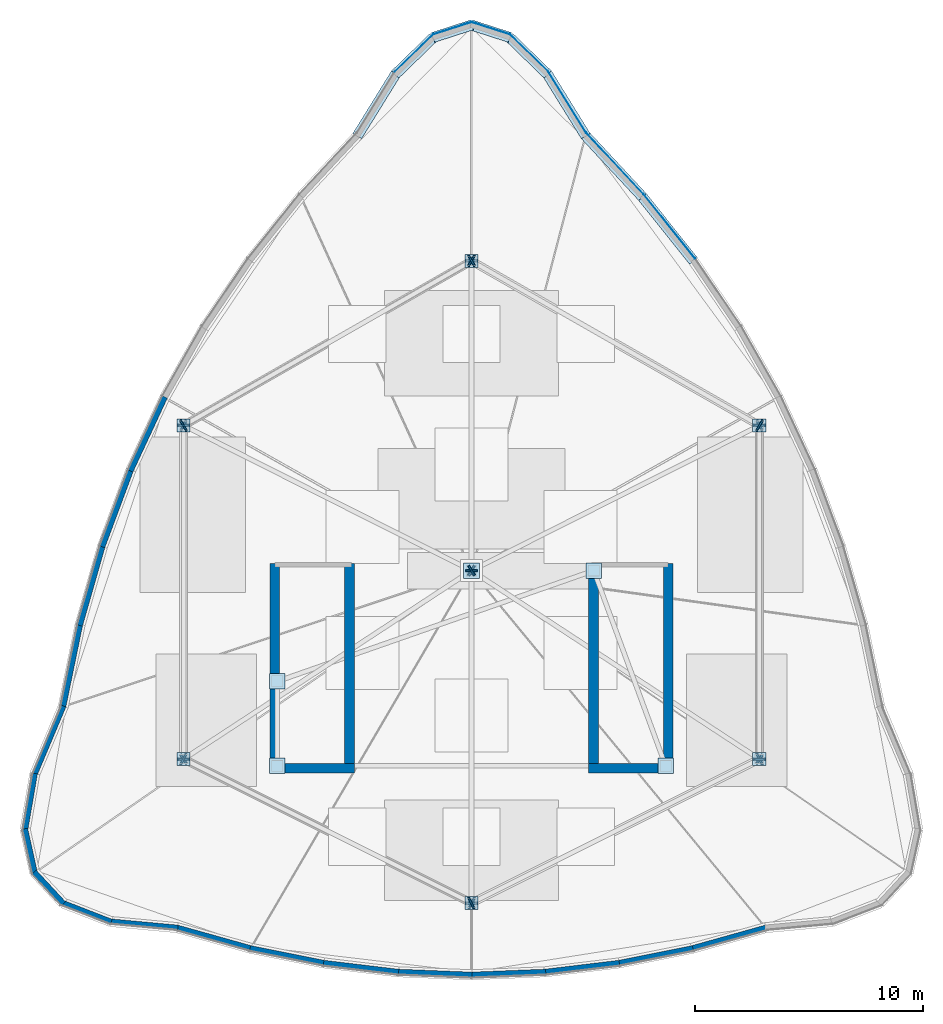
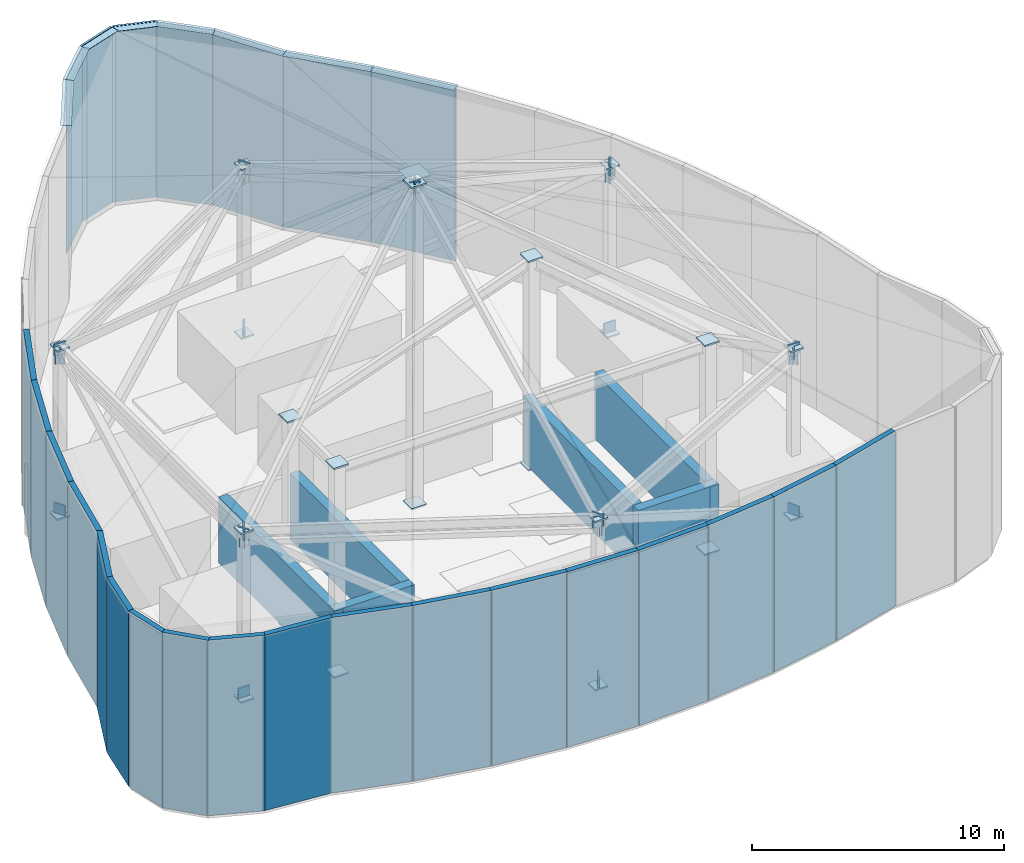
# One storey, part 3 of 6: 73 plates, 24 walls.
"""IFC4 building model written with IfcOpenShell, lengths in metres."""

from ifc_helpers import new_model, si_unit, direction, frame, frame_2d, origin, origin_2d, place, context, subcontext, project, spatial, rectangle, extrude, material, layer, layer_set, type_object, element, save


model = new_model("IFC4")

# Units and contexts
model_context = context("Model", 3, precision=1e-05, world=origin(), true_north=direction((0.0, 1.0)))
body_context = subcontext(model_context, "Body", "Model", "MODEL_VIEW")
ifc_project = project(units=[si_unit("LENGTHUNIT", "METRE"), si_unit("AREAUNIT", "SQUARE_METRE"), si_unit("VOLUMEUNIT", "CUBIC_METRE"), si_unit("PLANEANGLEUNIT", "RADIAN"), si_unit("MASSUNIT", "GRAM", prefix="KILO")], contexts=[model_context])

# Site, building, storey
site_placement = place(None, origin())
site = spatial("IfcSite", under=ifc_project, at=site_placement, CompositionType="ELEMENT")
building_placement = place(site_placement, origin())
building = spatial("IfcBuilding", under=site, at=building_placement, Name="Miruveldt Soraemaru", CompositionType="ELEMENT")
storey_placement = place(building_placement, frame((0.0, 0.0, 318.0)))
storey = spatial("IfcBuildingStorey", under=building, at=storey_placement, Name="RF", CompositionType="ELEMENT", Elevation=318.0)

# Plates
ifc_material_1 = material(Name="Steel S460 (460 MPa)", Category="steel")
ifc_layer_1 = layer(ifc_material_1, 0.030029296875, Name="Steel S460 (460 MPa)", Category="steel")
ifc_layer_set_1 = layer_set([ifc_layer_1], Name="Steel S460 (460 MPa)")
plate_type_1 = type_object("IfcPlateType", Name="PLT-CAP-30", PredefinedType="USERDEFINED", material=ifc_layer_set_1)
for number, where, z_axis, x_axis, name in (
    (1, (35.5, 35.5, -0.04541015625), (0.0, 0.0, 1.0), (1.0, 0.0, 0.0), "RF Core Ridge Post 1 End Cap A"),
    (2, (35.5, 35.5, 10.0703125), (0.0, 0.0, 1.0), (1.0, 0.0, 0.0), "RF Core Ridge Post 1 End Cap B"),
    (3, (52.5, 35.5, -0.04541015625), (0.0, 0.0, 1.0), (1.0, 0.0, 0.0), "RF Core Ridge Post 2 End Cap A"),
    (4, (52.5, 35.5, 10.0703125), (0.0, 0.0, 1.0), (1.0, 0.0, 0.0), "RF Core Ridge Post 2 End Cap B"),
    (5, (49.35009765625, 44.050048828125, -0.04541015625), (0.0, 0.0, 1.0), (1.0, 0.0, 0.0), "RF Core Ridge Post 3 End Cap A"),
    (6, (49.35009765625, 44.050048828125, 10.0703125), (0.0, 0.0, 1.0), (1.0, 0.0, 0.0), "RF Core Ridge Post 3 End Cap B"),
    (7, (35.5, 39.199951171875, -0.04541015625), (0.0, 0.0, 1.0), (1.0, 0.0, 0.0), "RF Core Ridge Post 4 End Cap A"),
    (8, (35.5, 39.199951171875, 10.0703125), (0.0, 0.0, 1.0), (1.0, 0.0, 0.0), "RF Core Ridge Post 4 End Cap B"),
    (9, (44.0, 44.050048828125, -0.04541015625), (0.0, 0.0, 1.0), (1.0, 0.0, 0.0), "RF Central Peak Post End Cap A"),
    (10, (44.0, 44.050048828125, 15.5205078125), (0.0, 0.0, 1.0), (1.0, 0.0, 0.0), "RF Central Peak Post End Cap B"),
):
    element("IfcPlate", number, at=place(storey_placement, frame(where, z_axis=z_axis, x_axis=x_axis)), inside=storey, type_object=plate_type_1, Name=name, ObjectType="END CAP", PredefinedType="USERDEFINED", context=body_context, shape_type="SweptSolid", body=[
        extrude(rectangle(XDim=0.679931640625, YDim=0.679931640625, at=origin_2d()), origin(), (0.0, 0.0, 1.0), 0.074951171875),
    ])
for number, where, z_axis, x_axis, name in (
    (11, (44.0, 57.60009765625, -0.04541015625), (0.0, 0.0, 1.0), (1.0, 0.0, 0.0), "RF Perimeter Post 01 End Cap A"),
    (12, (44.0, 57.60009765625, 8.12060546875), (0.0, 0.0, 1.0), (1.0, 0.0, 0.0), "RF Perimeter Post 01 End Cap B"),
    (13, (56.60009765625, 50.39990234375, -0.04541015625), (0.0, 0.0, 1.0), (1.0, 0.0, 0.0), "RF Perimeter Post 02 End Cap A"),
    (14, (56.60009765625, 50.39990234375, 8.12060546875), (0.0, 0.0, 1.0), (1.0, 0.0, 0.0), "RF Perimeter Post 02 End Cap B"),
    (15, (56.60009765625, 35.800048828125, -0.04541015625), (0.0, 0.0, 1.0), (1.0, 0.0, 0.0), "RF Perimeter Post 03 End Cap A"),
    (16, (56.60009765625, 35.800048828125, 8.12060546875), (0.0, 0.0, 1.0), (1.0, 0.0, 0.0), "RF Perimeter Post 03 End Cap B"),
    (17, (44.0, 29.5, -0.04541015625), (0.0, 0.0, 1.0), (1.0, 0.0, 0.0), "RF Perimeter Post 04 End Cap A"),
    (18, (44.0, 29.5, 8.12060546875), (0.0, 0.0, 1.0), (1.0, 0.0, 0.0), "RF Perimeter Post 04 End Cap B"),
    (19, (31.39990234375, 35.800048828125, -0.04541015625), (0.0, 0.0, 1.0), (1.0, 0.0, 0.0), "RF Perimeter Post 05 End Cap A"),
    (20, (31.39990234375, 35.800048828125, 8.12060546875), (0.0, 0.0, 1.0), (1.0, 0.0, 0.0), "RF Perimeter Post 05 End Cap B"),
    (21, (31.39990234375, 50.39990234375, -0.04541015625), (0.0, 0.0, 1.0), (1.0, 0.0, 0.0), "RF Perimeter Post 06 End Cap A"),
    (22, (31.39990234375, 50.39990234375, 8.12060546875), (0.0, 0.0, 1.0), (1.0, 0.0, 0.0), "RF Perimeter Post 06 End Cap B"),
):
    element("IfcPlate", number, at=place(storey_placement, frame(where, z_axis=z_axis, x_axis=x_axis)), inside=storey, type_object=plate_type_1, Name=name, ObjectType="END CAP", PredefinedType="USERDEFINED", context=body_context, shape_type="SweptSolid", body=[
        extrude(rectangle(XDim=0.580078125, YDim=0.580078125, at=origin_2d()), origin(), (0.0, 0.0, 1.0), 0.074951171875),
    ])
for number, where, z_axis, x_axis, name in (
    (23, (43.993896484375, 57.603515625, -0.02392578125), (0.0, 0.0, 1.0), (-0.868285407383, 0.496064966839, 0.0), "RF Wind Brace 1 End Cap A"),
    (24, (56.606201171875, 50.396484375, 7.78369140625), (0.0, 0.0, 1.0), (0.868285407383, -0.496064966839, 0.0), "RF Wind Brace 1 End Cap B"),
    (25, (56.60009765625, 50.406982421875, -0.02392578125), (0.0, 0.0, 1.0), (0.0, 1.0, 0.0), "RF Wind Brace 2 End Cap A"),
    (26, (56.60009765625, 35.79296875, 7.78369140625), (0.0, 0.0, 1.0), (0.0, -1.0, 0.0), "RF Wind Brace 2 End Cap B"),
    (27, (56.606201171875, 35.802978515625, -0.02392578125), (0.0, 0.0, 1.0), (0.89438856037, 0.447290848419, 0.0), "RF Wind Brace 3 End Cap A"),
    (28, (43.99365234375, 29.496826171875, 7.783935546875), (0.0, 0.0, 1.0), (-0.89438856037, -0.447290848419, 0.0), "RF Wind Brace 3 End Cap B"),
    (29, (44.00634765625, 29.496826171875, -0.02392578125), (0.0, 0.0, 1.0), (0.89438856037, -0.447290848419, 0.0), "RF Wind Brace 4 End Cap A"),
    (30, (31.393798828125, 35.802978515625, 7.783935546875), (0.0, 0.0, 1.0), (-0.89438856037, 0.447290848419, 0.0), "RF Wind Brace 4 End Cap B"),
    (31, (31.39990234375, 35.79296875, -0.02392578125), (0.0, 0.0, 1.0), (0.0, -1.0, 0.0), "RF Wind Brace 5 End Cap A"),
    (32, (31.39990234375, 50.406982421875, 7.78369140625), (0.0, 0.0, 1.0), (0.0, 1.0, 0.0), "RF Wind Brace 5 End Cap B"),
    (33, (31.393798828125, 50.396484375, -0.02392578125), (0.0, 0.0, 1.0), (-0.868285407383, -0.496064966839, 0.0), "RF Wind Brace 6 End Cap A"),
    (34, (44.006103515625, 57.603515625, 7.78369140625), (0.0, 0.0, 1.0), (0.868285407383, 0.496064966839, 0.0), "RF Wind Brace 6 End Cap B"),
):
    element("IfcPlate", number, at=place(storey_placement, frame(where, z_axis=z_axis, x_axis=x_axis)), inside=storey, type_object=plate_type_1, Name=name, ObjectType="END CAP", PredefinedType="USERDEFINED", context=body_context, shape_type="SweptSolid", body=[
        extrude(rectangle(XDim=0.074951171875, YDim=0.5400390625, at=origin_2d()), origin(), (0.0, 0.0, 1.0), 0.5400390625),
    ])
for number, where, z_axis, x_axis, name in (
    (35, (44.0, 57.60693359375, 7.6962890625), (0.0, 0.0, 1.0), (0.0, 1.0, 0.0), "RF Gable Rafter 1 End Cap A"),
    (36, (44.0, 44.04296875, 15.103759765625), (0.0, 0.0, 1.0), (0.0, -1.0, 0.0), "RF Gable Rafter 1 End Cap B"),
):
    element("IfcPlate", number, at=place(storey_placement, frame(where, z_axis=z_axis, x_axis=x_axis)), inside=storey, type_object=plate_type_1, Name=name, ObjectType="END CAP", PredefinedType="USERDEFINED", context=body_context, shape_type="SweptSolid", body=[
        extrude(rectangle(XDim=0.074951171875, YDim=0.5, at=origin_2d()), origin(), (0.0, 0.0, 1.0), 0.5),
    ])
for number, where, z_axis, x_axis, name in (
    (37, (43.9931640625, 57.60400390625, 7.340087890625), (0.0, 0.0, 1.0), (-0.868285407383, 0.496064966839, 0.0), "RF Eaves Purlin 1 End Cap A"),
    (38, (56.60693359375, 50.39599609375, 7.340087890625), (0.0, 0.0, 1.0), (0.868285407383, -0.496064966839, 0.0), "RF Eaves Purlin 1 End Cap B"),
):
    element("IfcPlate", number, at=place(storey_placement, frame(where, z_axis=z_axis, x_axis=x_axis)), inside=storey, type_object=plate_type_1, Name=name, ObjectType="END CAP", PredefinedType="USERDEFINED", context=body_context, shape_type="SweptSolid", body=[
        extrude(rectangle(XDim=0.074951171875, YDim=0.419921875, at=origin_2d()), origin(), (0.0, 0.0, 1.0), 0.419921875),
    ])
for number, where, z_axis, x_axis, name in (
    (39, (56.606201171875, 50.4033203125, 7.6962890625), (0.0, 0.0, 1.0), (0.892978943411, 0.450098441037, 0.0), "RF Gable Rafter 2 End Cap A"),
    (40, (43.99365234375, 44.046875, 15.103759765625), (0.0, 0.0, 1.0), (-0.892978943411, -0.450098441037, 0.0), "RF Gable Rafter 2 End Cap B"),
):
    element("IfcPlate", number, at=place(storey_placement, frame(where, z_axis=z_axis, x_axis=x_axis)), inside=storey, type_object=plate_type_1, Name=name, ObjectType="END CAP", PredefinedType="USERDEFINED", context=body_context, shape_type="SweptSolid", body=[
        extrude(rectangle(XDim=0.074951171875, YDim=0.5, at=origin_2d()), origin(), (0.0, 0.0, 1.0), 0.5),
    ])
for number, where, z_axis, x_axis, name in (
    (41, (56.60009765625, 50.407958984375, 7.340087890625), (0.0, 0.0, 1.0), (0.0, 1.0, 0.0), "RF Eaves Purlin 2 End Cap A"),
    (42, (56.60009765625, 35.7919921875, 7.340087890625), (0.0, 0.0, 1.0), (0.0, -1.0, 0.0), "RF Eaves Purlin 2 End Cap B"),
):
    element("IfcPlate", number, at=place(storey_placement, frame(where, z_axis=z_axis, x_axis=x_axis)), inside=storey, type_object=plate_type_1, Name=name, ObjectType="END CAP", PredefinedType="USERDEFINED", context=body_context, shape_type="SweptSolid", body=[
        extrude(rectangle(XDim=0.074951171875, YDim=0.419921875, at=origin_2d()), origin(), (0.0, 0.0, 1.0), 0.419921875),
    ])
for number, where, z_axis, x_axis, name in (
    (43, (56.60595703125, 35.796142578125, 7.696533203125), (0.0, 0.0, 1.0), (0.836573126862, -0.547855275974, 0.0), "RF Gable Rafter 3 End Cap A"),
    (44, (43.993896484375, 44.053955078125, 15.103515625), (0.0, 0.0, 1.0), (-0.836573126862, 0.547855275974, 0.0), "RF Gable Rafter 3 End Cap B"),
):
    element("IfcPlate", number, at=place(storey_placement, frame(where, z_axis=z_axis, x_axis=x_axis)), inside=storey, type_object=plate_type_1, Name=name, ObjectType="END CAP", PredefinedType="USERDEFINED", context=body_context, shape_type="SweptSolid", body=[
        extrude(rectangle(XDim=0.074951171875, YDim=0.5, at=origin_2d()), origin(), (0.0, 0.0, 1.0), 0.5),
    ])
for number, where, z_axis, x_axis, name in (
    (45, (56.607177734375, 35.8037109375, 7.340087890625), (0.0, 0.0, 1.0), (0.89438856037, 0.447290848419, 0.0), "RF Eaves Purlin 3 End Cap A"),
    (46, (43.992919921875, 29.496337890625, 7.340087890625), (0.0, 0.0, 1.0), (-0.89438856037, -0.447290848419, 0.0), "RF Eaves Purlin 3 End Cap B"),
):
    element("IfcPlate", number, at=place(storey_placement, frame(where, z_axis=z_axis, x_axis=x_axis)), inside=storey, type_object=plate_type_1, Name=name, ObjectType="END CAP", PredefinedType="USERDEFINED", context=body_context, shape_type="SweptSolid", body=[
        extrude(rectangle(XDim=0.074951171875, YDim=0.419921875, at=origin_2d()), origin(), (0.0, 0.0, 1.0), 0.419921875),
    ])
for number, where, z_axis, x_axis, name in (
    (47, (44.0, 29.492919921875, 7.6962890625), (0.0, 0.0, 1.0), (0.0, -1.0, 0.0), "RF Gable Rafter 4 End Cap A"),
    (48, (44.0, 44.05712890625, 15.103515625), (0.0, 0.0, 1.0), (0.0, 1.0, 0.0), "RF Gable Rafter 4 End Cap B"),
):
    element("IfcPlate", number, at=place(storey_placement, frame(where, z_axis=z_axis, x_axis=x_axis)), inside=storey, type_object=plate_type_1, Name=name, ObjectType="END CAP", PredefinedType="USERDEFINED", context=body_context, shape_type="SweptSolid", body=[
        extrude(rectangle(XDim=0.074951171875, YDim=0.5, at=origin_2d()), origin(), (0.0, 0.0, 1.0), 0.5),
    ])
for number, where, z_axis, x_axis, name in (
    (49, (44.007080078125, 29.496337890625, 7.340087890625), (0.0, 0.0, 1.0), (0.89438856037, -0.447290848419, 0.0), "RF Eaves Purlin 4 End Cap A"),
    (50, (31.392822265625, 35.8037109375, 7.340087890625), (0.0, 0.0, 1.0), (-0.89438856037, 0.447290848419, 0.0), "RF Eaves Purlin 4 End Cap B"),
):
    element("IfcPlate", number, at=place(storey_placement, frame(where, z_axis=z_axis, x_axis=x_axis)), inside=storey, type_object=plate_type_1, Name=name, ObjectType="END CAP", PredefinedType="USERDEFINED", context=body_context, shape_type="SweptSolid", body=[
        extrude(rectangle(XDim=0.074951171875, YDim=0.419921875, at=origin_2d()), origin(), (0.0, 0.0, 1.0), 0.419921875),
    ])
for number, where, z_axis, x_axis, name in (
    (51, (31.39404296875, 35.796142578125, 7.696533203125), (0.0, 0.0, 1.0), (-0.836573126862, -0.547855275974, 0.0), "RF Gable Rafter 5 End Cap A"),
    (52, (44.006103515625, 44.053955078125, 15.103515625), (0.0, 0.0, 1.0), (0.836573126862, 0.547855275974, 0.0), "RF Gable Rafter 5 End Cap B"),
):
    element("IfcPlate", number, at=place(storey_placement, frame(where, z_axis=z_axis, x_axis=x_axis)), inside=storey, type_object=plate_type_1, Name=name, ObjectType="END CAP", PredefinedType="USERDEFINED", context=body_context, shape_type="SweptSolid", body=[
        extrude(rectangle(XDim=0.074951171875, YDim=0.5, at=origin_2d()), origin(), (0.0, 0.0, 1.0), 0.5),
    ])
for number, where, z_axis, x_axis, name in (
    (53, (31.39990234375, 35.7919921875, 7.340087890625), (0.0, 0.0, 1.0), (0.0, -1.0, 0.0), "RF Eaves Purlin 5 End Cap A"),
    (54, (31.39990234375, 50.407958984375, 7.340087890625), (0.0, 0.0, 1.0), (0.0, 1.0, 0.0), "RF Eaves Purlin 5 End Cap B"),
):
    element("IfcPlate", number, at=place(storey_placement, frame(where, z_axis=z_axis, x_axis=x_axis)), inside=storey, type_object=plate_type_1, Name=name, ObjectType="END CAP", PredefinedType="USERDEFINED", context=body_context, shape_type="SweptSolid", body=[
        extrude(rectangle(XDim=0.074951171875, YDim=0.419921875, at=origin_2d()), origin(), (0.0, 0.0, 1.0), 0.419921875),
    ])
for number, where, z_axis, x_axis, name in (
    (55, (31.393798828125, 50.4033203125, 7.6962890625), (0.0, 0.0, 1.0), (-0.892978943411, 0.450098441037, 0.0), "RF Gable Rafter 6 End Cap A"),
    (56, (44.00634765625, 44.046875, 15.103759765625), (0.0, 0.0, 1.0), (0.892978943411, -0.450098441037, 0.0), "RF Gable Rafter 6 End Cap B"),
):
    element("IfcPlate", number, at=place(storey_placement, frame(where, z_axis=z_axis, x_axis=x_axis)), inside=storey, type_object=plate_type_1, Name=name, ObjectType="END CAP", PredefinedType="USERDEFINED", context=body_context, shape_type="SweptSolid", body=[
        extrude(rectangle(XDim=0.074951171875, YDim=0.5, at=origin_2d()), origin(), (0.0, 0.0, 1.0), 0.5),
    ])
for number, where, z_axis, x_axis, name in (
    (57, (31.39306640625, 50.39599609375, 7.340087890625), (0.0, 0.0, 1.0), (-0.868285407383, -0.496064966839, 0.0), "RF Eaves Purlin 6 End Cap A"),
    (58, (44.0068359375, 57.60400390625, 7.340087890625), (0.0, 0.0, 1.0), (0.868285407383, 0.496064966839, 0.0), "RF Eaves Purlin 6 End Cap B"),
):
    element("IfcPlate", number, at=place(storey_placement, frame(where, z_axis=z_axis, x_axis=x_axis)), inside=storey, type_object=plate_type_1, Name=name, ObjectType="END CAP", PredefinedType="USERDEFINED", context=body_context, shape_type="SweptSolid", body=[
        extrude(rectangle(XDim=0.074951171875, YDim=0.419921875, at=origin_2d()), origin(), (0.0, 0.0, 1.0), 0.419921875),
    ])
ifc_material_2 = material(Name="Anodised aluminium EN AW-6063 T6", Category="aluminium")
ifc_layer_2 = layer(ifc_material_2, 0.01611328125, Name="Anodised aluminium EN AW-6063 T6", Category="aluminium")
ifc_layer_set_2 = layer_set([ifc_layer_2], Name="Anodised aluminium EN AW-6063 T6")
plate_type_2 = type_object("IfcPlateType", Name="PLT-SCREEN-16", PredefinedType="USERDEFINED", material=ifc_layer_set_2)
plate_1_placement = place(storey_placement, frame((48.18408203125, 64.558349609375, 0.0), z_axis=(0.0, 0.0, 1.0), x_axis=(-0.526095186954, 0.850425690031, 0.0)))
element("IfcPlate", 59, at=plate_1_placement, inside=storey, type_object=plate_type_2, Name="RF Crown Perforated Metal SCREEN Panel 1", ObjectType="SCREEN", PredefinedType="USERDEFINED", context=body_context, shape_type="SweptSolid", body=[
    extrude(rectangle(XDim=3.21240234375, YDim=0.01611328125, at=origin_2d()), origin(), (0.0, 0.0, 1.0), 8.5),
])
plate_2_placement = place(storey_placement, frame((46.50927734375, 66.71142578125, 0.0), z_axis=(0.0, 0.0, 1.0), x_axis=(-0.717786124876, 0.696263656193, 0.0)))
element("IfcPlate", 60, at=plate_2_placement, inside=storey, type_object=plate_type_2, Name="RF Crown Perforated Metal SCREEN Panel 2", ObjectType="SCREEN", PredefinedType="USERDEFINED", context=body_context, shape_type="SweptSolid", body=[
    extrude(rectangle(XDim=2.36767578125, YDim=0.01611328125, at=origin_2d()), origin(), (0.0, 0.0, 1.0), 8.5),
])
for number, where, z_axis, x_axis, name in (
    (61, (44.836181640625, 67.7880859375, 0.0), (0.0, 0.0, 1.0), (-0.95150316745, 0.30763894801, 0.0), "RF Crown Perforated Metal SCREEN Panel 3"),
    (62, (43.163818359375, 67.7880859375, 0.0), (0.0, 0.0, 1.0), (-0.95150316745, -0.30763894801, 0.0), "RF Crown Perforated Metal SCREEN Panel 4"),
):
    element("IfcPlate", number, at=place(storey_placement, frame(where, z_axis=z_axis, x_axis=x_axis)), inside=storey, type_object=plate_type_2, Name=name, ObjectType="SCREEN", PredefinedType="USERDEFINED", context=body_context, shape_type="SweptSolid", body=[
        extrude(rectangle(XDim=1.798583984375, YDim=0.01611328125, at=origin_2d()), origin(), (0.0, 0.0, 1.0), 8.5),
    ])
plate_3_placement = place(storey_placement, frame((41.49072265625, 66.71142578125, 0.0), z_axis=(0.0, 0.0, 1.0), x_axis=(-0.717786124876, -0.696263656193, 0.0)))
element("IfcPlate", 63, at=plate_3_placement, inside=storey, type_object=plate_type_2, Name="RF Crown Perforated Metal SCREEN Panel 5", ObjectType="SCREEN", PredefinedType="USERDEFINED", context=body_context, shape_type="SweptSolid", body=[
    extrude(rectangle(XDim=2.36767578125, YDim=0.01611328125, at=origin_2d()), origin(), (0.0, 0.0, 1.0), 8.5),
])
plate_4_placement = place(storey_placement, frame((52.6552734375, 59.126708984375, 0.0), z_axis=(0.0, 0.0, 1.0), x_axis=(-0.623606756598, 0.781738199863, 0.0)))
element("IfcPlate", 64, at=plate_4_placement, inside=storey, type_object=plate_type_2, Name="RF Crown Perforated Metal SCREEN Panel 41", ObjectType="SCREEN", PredefinedType="USERDEFINED", context=body_context, shape_type="SweptSolid", body=[
    extrude(rectangle(XDim=3.6337890625, YDim=0.01611328125, at=origin_2d()), origin(), (0.0, 0.0, 1.0), 8.5),
])
plate_5_placement = place(storey_placement, frame((50.27490234375, 61.872802734375, 0.0), z_axis=(0.0, 0.0, 1.0), x_axis=(-0.680874277454, 0.732400312877, 0.0)))
element("IfcPlate", 65, at=plate_5_placement, inside=storey, type_object=plate_type_2, Name="RF Crown Perforated Metal SCREEN Panel 42", ObjectType="SCREEN", PredefinedType="USERDEFINED", context=body_context, shape_type="SweptSolid", body=[
    extrude(rectangle(XDim=3.69921875, YDim=0.01611328125, at=origin_2d()), origin(), (0.0, 0.0, 1.0), 8.5),
])
ifc_material_3 = material(Name="Standing-seam titanium-zinc sheet", Category="aluminium")
ifc_layer_3 = layer(ifc_material_3, 0.011962890625, Name="Standing-seam titanium-zinc sheet", Category="aluminium")
ifc_layer_set_3 = layer_set([ifc_layer_3], Name="Standing-seam titanium-zinc sheet")
plate_type_3 = type_object("IfcPlateType", Name="PLT-ZINC-12", PredefinedType="SHEET", material=ifc_layer_set_3)
plate_6_placement = place(storey_placement, frame((48.1591796875, 64.4306640625, 8.48779296875), z_axis=(0.0, 0.0, 1.0), x_axis=(-0.526095186954, 0.850425690031, 0.0)))
element("IfcPlate", 66, at=plate_6_placement, inside=storey, type_object=plate_type_3, Name="RF Crown Perimeter Eaves Zinc Flashing Sheet 1", PredefinedType="SHEET", context=body_context, shape_type="SweptSolid", body=[
    extrude(rectangle(XDim=3.202392578125, YDim=0.449951171875, at=origin_2d()), origin(), (0.0, 0.0, 1.0), 0.011962890625),
])
plate_7_placement = place(storey_placement, frame((46.49560546875, 66.582275390625, 8.48779296875), z_axis=(0.0, 0.0, 1.0), x_axis=(-0.717786124876, 0.696263656193, 0.0)))
element("IfcPlate", 67, at=plate_7_placement, inside=storey, type_object=plate_type_3, Name="RF Crown Perimeter Eaves Zinc Flashing Sheet 2", PredefinedType="SHEET", context=body_context, shape_type="SweptSolid", body=[
    extrude(rectangle(XDim=2.357666015625, YDim=0.449951171875, at=origin_2d()), origin(), (0.0, 0.0, 1.0), 0.011962890625),
])
for number, where, z_axis, x_axis, name in (
    (68, (44.831787109375, 67.658203125, 8.48779296875), (0.0, 0.0, 1.0), (-0.95150316745, 0.30763894801, 0.0), "RF Crown Perimeter Eaves Zinc Flashing Sheet 3"),
    (69, (43.168212890625, 67.658203125, 8.48779296875), (0.0, 0.0, 1.0), (-0.95150316745, -0.30763894801, 0.0), "RF Crown Perimeter Eaves Zinc Flashing Sheet 4"),
):
    element("IfcPlate", number, at=place(storey_placement, frame(where, z_axis=z_axis, x_axis=x_axis)), inside=storey, type_object=plate_type_3, Name=name, PredefinedType="SHEET", context=body_context, shape_type="SweptSolid", body=[
        extrude(rectangle(XDim=1.78857421875, YDim=0.449951171875, at=origin_2d()), origin(), (0.0, 0.0, 1.0), 0.011962890625),
    ])
plate_8_placement = place(storey_placement, frame((41.50439453125, 66.582275390625, 8.48779296875), z_axis=(0.0, 0.0, 1.0), x_axis=(-0.717786124876, -0.696263656193, 0.0)))
element("IfcPlate", 70, at=plate_8_placement, inside=storey, type_object=plate_type_3, Name="RF Crown Perimeter Eaves Zinc Flashing Sheet 5", PredefinedType="SHEET", context=body_context, shape_type="SweptSolid", body=[
    extrude(rectangle(XDim=2.357666015625, YDim=0.449951171875, at=origin_2d()), origin(), (0.0, 0.0, 1.0), 0.011962890625),
])
plate_9_placement = place(storey_placement, frame((39.8408203125, 64.4306640625, 8.48779296875), z_axis=(0.0, 0.0, 1.0), x_axis=(-0.526095186954, -0.850425690031, 0.0)))
element("IfcPlate", 71, at=plate_9_placement, inside=storey, type_object=plate_type_3, Name="RF Crown Perimeter Eaves Zinc Flashing Sheet 6", PredefinedType="SHEET", context=body_context, shape_type="SweptSolid", body=[
    extrude(rectangle(XDim=3.202392578125, YDim=0.449951171875, at=origin_2d()), origin(), (0.0, 0.0, 1.0), 0.011962890625),
])
plate_10_placement = place(storey_placement, frame((52.593017578125, 59.0126953125, 8.48779296875), z_axis=(0.0, 0.0, 1.0), x_axis=(-0.623606756598, 0.781738199863, 0.0)))
element("IfcPlate", 72, at=plate_10_placement, inside=storey, type_object=plate_type_3, Name="RF Crown Perimeter Eaves Zinc Flashing Sheet 41", PredefinedType="SHEET", context=body_context, shape_type="SweptSolid", body=[
    extrude(rectangle(XDim=3.623779296875, YDim=0.449951171875, at=origin_2d()), origin(), (0.0, 0.0, 1.0), 0.011962890625),
])
plate_11_placement = place(storey_placement, frame((50.2333984375, 61.749755859375, 8.48779296875), z_axis=(0.0, 0.0, 1.0), x_axis=(-0.680874277454, 0.732400312877, 0.0)))
element("IfcPlate", 73, at=plate_11_placement, inside=storey, type_object=plate_type_3, Name="RF Crown Perimeter Eaves Zinc Flashing Sheet 42", PredefinedType="SHEET", context=body_context, shape_type="SweptSolid", body=[
    extrude(rectangle(XDim=3.689208984375, YDim=0.449951171875, at=origin_2d()), origin(), (0.0, 0.0, 1.0), 0.011962890625),
])

# Walls
ifc_material_4 = material(Name="Concrete C50/60 (50 MPa)", Category="concrete")
ifc_layer_4 = layer(ifc_material_4, 0.419921875, Name="Concrete C50/60 (50 MPa)", Category="concrete")
ifc_layer_set_4 = layer_set([ifc_layer_4], Name="Concrete C50/60 (50 MPa)")
wall_type_1 = type_object("IfcWallType", Name="WALL-CW-420", PredefinedType="SHEAR", material=ifc_layer_set_4)
for number, where, z_axis, x_axis, name in (
    (74, (35.179931640625, 35.389892578125, 0.0), (0.0, 0.0, 1.0), (1.0, 0.0, 0.0), "RF Stair Headhouse Wall S1"),
    (75, (49.1298828125, 35.389892578125, 0.0), (0.0, 0.0, 1.0), (1.0, 0.0, 0.0), "RF Stair Headhouse Wall S2"),
):
    element("IfcWall", number, at=place(storey_placement, frame(where, z_axis=z_axis, x_axis=x_axis)), inside=storey, type_object=wall_type_1, Name=name, PredefinedType="SHEAR", context=body_context, shape_type="SweptSolid", body=[
        extrude(rectangle(XDim=3.690185546875, YDim=0.419921875, at=frame_2d((1.84521484375, 0.0))), origin(), (0.0, 0.0, 1.0), 3.199951171875),
    ])
for number, where, z_axis, x_axis, name in (
    (76, (35.389892578125, 35.179931640625, 0.0), (0.0, 0.0, 1.0), (0.0, 1.0, 0.0), "RF Stair Headhouse Wall W1"),
    (77, (52.610107421875, 35.179931640625, 0.0), (0.0, 0.0, 1.0), (0.0, 1.0, 0.0), "RF Stair Headhouse Wall E1"),
):
    element("IfcWall", number, at=place(storey_placement, frame(where, z_axis=z_axis, x_axis=x_axis)), inside=storey, type_object=wall_type_1, Name=name, PredefinedType="SHEAR", context=body_context, shape_type="SweptSolid", body=[
        extrude(rectangle(XDim=9.170166015625, YDim=0.419921875, at=frame_2d((4.5849609375, 0.0))), origin(), (0.0, 0.0, 1.0), 3.199951171875),
    ])
for number, where, z_axis, x_axis, name in (
    (78, (38.659912109375, 35.39990234375, 0.0), (0.0, 0.0, 1.0), (0.0, 1.0, 0.0), "RF Stair Headhouse Wall SW-INT"),
    (79, (49.340087890625, 35.39990234375, 0.0), (0.0, 0.0, 1.0), (0.0, 1.0, 0.0), "RF Stair Headhouse Wall SE-INT"),
):
    element("IfcWall", number, at=place(storey_placement, frame(where, z_axis=z_axis, x_axis=x_axis)), inside=storey, type_object=wall_type_1, Name=name, PredefinedType="SHEAR", context=body_context, shape_type="SweptSolid", body=[
        extrude(rectangle(XDim=8.9501953125, YDim=0.419921875, at=frame_2d((4.47509765625, 0.0))), origin(), (0.0, 0.0, 1.0), 3.199951171875),
    ])
ifc_material_5 = material(Name="Precast concrete C45/55 (45 MPa)", Category="concrete")
ifc_layer_5 = layer(ifc_material_5, 0.239990234375, Name="Precast concrete C45/55 (45 MPa)", Category="concrete")
ifc_layer_set_5 = layer_set([ifc_layer_5], Name="Precast concrete C45/55 (45 MPa)")
wall_type_2 = type_object("IfcWallType", Name="WALL-EXT-PC240", PredefinedType="SOLIDWALL", material=ifc_layer_set_5)
wall_1_placement = place(storey_placement, frame((30.58203125, 51.649658203125, 0.0), z_axis=(0.0, 0.0, 1.0), x_axis=(-0.422306190726, -0.906453242741, 0.0)))
element("IfcWall", 80, at=wall_1_placement, inside=storey, type_object=wall_type_2, Name="RF Crown Enclosure Wall 11", PredefinedType="SOLIDWALL", context=body_context, shape_type="SweptSolid", body=[
    extrude(rectangle(XDim=3.576904296875, YDim=0.239990234375, at=frame_2d((1.78857421875, 0.0))), origin(), (0.0, 0.0, 1.0), 8.5),
])
wall_2_placement = place(storey_placement, frame((29.0947265625, 48.462646484375, 0.0), z_axis=(0.0, 0.0, 1.0), x_axis=(-0.349063473183, -0.937099083176, 0.0)))
element("IfcWall", 81, at=wall_2_placement, inside=storey, type_object=wall_type_2, Name="RF Crown Enclosure Wall 12", PredefinedType="SOLIDWALL", context=body_context, shape_type="SweptSolid", body=[
    extrude(rectangle(XDim=3.59912109375, YDim=0.239990234375, at=frame_2d((1.799560546875, 0.0))), origin(), (0.0, 0.0, 1.0), 8.5),
])
wall_3_placement = place(storey_placement, frame((27.857177734375, 45.146728515625, 0.0), z_axis=(0.0, 0.0, 1.0), x_axis=(-0.274986607088, -0.961448056799, 0.0)))
element("IfcWall", 82, at=wall_3_placement, inside=storey, type_object=wall_type_2, Name="RF Crown Enclosure Wall 13", PredefinedType="SOLIDWALL", context=body_context, shape_type="SweptSolid", body=[
    extrude(rectangle(XDim=3.6435546875, YDim=0.239990234375, at=frame_2d((1.82177734375, 0.0))), origin(), (0.0, 0.0, 1.0), 8.5),
])
wall_4_placement = place(storey_placement, frame((26.869384765625, 41.701904296875, 0.0), z_axis=(0.0, 0.0, 1.0), x_axis=(-0.201530352789, -0.979482269827, 0.0)))
element("IfcWall", 83, at=wall_4_placement, inside=storey, type_object=wall_type_2, Name="RF Crown Enclosure Wall 14", PredefinedType="SOLIDWALL", context=body_context, shape_type="SweptSolid", body=[
    extrude(rectangle(XDim=3.70947265625, YDim=0.239990234375, at=frame_2d((1.854736328125, 0.0))), origin(), (0.0, 0.0, 1.0), 8.5),
])
wall_5_placement = place(storey_placement, frame((26.1396484375, 38.12548828125, 0.0), z_axis=(0.0, 0.0, 1.0), x_axis=(-0.38868763357, -0.921369591157, 0.0)))
element("IfcWall", 84, at=wall_5_placement, inside=storey, type_object=wall_type_2, Name="RF Crown Enclosure Wall 15", PredefinedType="SOLIDWALL", context=body_context, shape_type="SweptSolid", body=[
    extrude(rectangle(XDim=3.2705078125, YDim=0.239990234375, at=frame_2d((1.63525390625, 0.0))), origin(), (0.0, 0.0, 1.0), 8.5),
])
wall_6_placement = place(storey_placement, frame((24.88525390625, 35.169189453125, 0.0), z_axis=(0.0, 0.0, 1.0), x_axis=(-0.169322001461, -0.985560784438, 0.0)))
element("IfcWall", 85, at=wall_6_placement, inside=storey, type_object=wall_type_2, Name="RF Crown Enclosure Wall 16", PredefinedType="SOLIDWALL", context=body_context, shape_type="SweptSolid", body=[
    extrude(rectangle(XDim=2.51611328125, YDim=0.239990234375, at=frame_2d((1.258056640625, 0.0))), origin(), (0.0, 0.0, 1.0), 8.5),
])
wall_7_placement = place(storey_placement, frame((24.457763671875, 32.748291015625, 0.0), z_axis=(0.0, 0.0, 1.0), x_axis=(0.215773023967, -0.976443547845, 0.0)))
element("IfcWall", 86, at=wall_7_placement, inside=storey, type_object=wall_type_2, Name="RF Crown Enclosure Wall 17", PredefinedType="SOLIDWALL", context=body_context, shape_type="SweptSolid", body=[
    extrude(rectangle(XDim=1.988037109375, YDim=0.239990234375, at=frame_2d((0.994140625, 0.0))), origin(), (0.0, 0.0, 1.0), 8.5),
])
wall_8_placement = place(storey_placement, frame((24.85986328125, 30.8583984375, 0.0), z_axis=(0.0, 0.0, 1.0), x_axis=(0.680124759324, -0.733096386401, 0.0)))
element("IfcWall", 87, at=wall_8_placement, inside=storey, type_object=wall_type_2, Name="RF Crown Enclosure Wall 18", PredefinedType="SOLIDWALL", context=body_context, shape_type="SweptSolid", body=[
    extrude(rectangle(XDim=1.894287109375, YDim=0.239990234375, at=frame_2d((0.947265625, 0.0))), origin(), (0.0, 0.0, 1.0), 8.5),
])
wall_9_placement = place(storey_placement, frame((26.099853515625, 29.502685546875, 0.0), z_axis=(0.0, 0.0, 1.0), x_axis=(0.932292379014, -0.361705570916, 0.0)))
element("IfcWall", 88, at=wall_9_placement, inside=storey, type_object=wall_type_2, Name="RF Crown Enclosure Wall 19", PredefinedType="SOLIDWALL", context=body_context, shape_type="SweptSolid", body=[
    extrude(rectangle(XDim=2.290771484375, YDim=0.239990234375, at=frame_2d((1.1455078125, 0.0))), origin(), (0.0, 0.0, 1.0), 8.5),
])
wall_10_placement = place(storey_placement, frame((28.177490234375, 28.687744140625, 0.0), z_axis=(0.0, 0.0, 1.0), x_axis=(0.99575457303, -0.092047978197, 0.0)))
element("IfcWall", 89, at=wall_10_placement, inside=storey, type_object=wall_type_2, Name="RF Crown Enclosure Wall 20", PredefinedType="SOLIDWALL", context=body_context, shape_type="SweptSolid", body=[
    extrude(rectangle(XDim=2.98388671875, YDim=0.239990234375, at=frame_2d((1.491943359375, 0.0))), origin(), (0.0, 0.0, 1.0), 8.5),
])
wall_11_placement = place(storey_placement, frame((31.090087890625, 28.424072265625, 0.0), z_axis=(0.0, 0.0, 1.0), x_axis=(0.962955825982, -0.269659187137, 0.0)))
element("IfcWall", 90, at=wall_11_placement, inside=storey, type_object=wall_type_2, Name="RF Crown Enclosure Wall 21", PredefinedType="SOLIDWALL", context=body_context, shape_type="SweptSolid", body=[
    extrude(rectangle(XDim=3.404296875, YDim=0.239990234375, at=frame_2d((1.7021484375, 0.0))), origin(), (0.0, 0.0, 1.0), 8.5),
])
wall_12_placement = place(storey_placement, frame((34.309814453125, 27.520263671875, 0.0), z_axis=(0.0, 0.0, 1.0), x_axis=(0.980583483628, -0.196102094931, 0.0)))
element("IfcWall", 91, at=wall_12_placement, inside=storey, type_object=wall_type_2, Name="RF Crown Enclosure Wall 22", PredefinedType="SOLIDWALL", context=body_context, shape_type="SweptSolid", body=[
    extrude(rectangle(XDim=3.343994140625, YDim=0.239990234375, at=frame_2d((1.671875, 0.0))), origin(), (0.0, 0.0, 1.0), 8.5),
])
wall_13_placement = place(storey_placement, frame((37.52978515625, 26.873779296875, 0.0), z_axis=(0.0, 0.0, 1.0), x_axis=(0.992877537913, -0.119139391925, 0.0)))
element("IfcWall", 92, at=wall_13_placement, inside=storey, type_object=wall_type_2, Name="RF Crown Enclosure Wall 23", PredefinedType="SOLIDWALL", context=body_context, shape_type="SweptSolid", body=[
    extrude(rectangle(XDim=3.30322265625, YDim=0.239990234375, at=frame_2d((1.651611328125, 0.0))), origin(), (0.0, 0.0, 1.0), 8.5),
])
for number, where, z_axis, x_axis, name in (
    (93, (40.749755859375, 26.485107421875, 0.0), (0.0, 0.0, 1.0), (0.99919929469, -0.040009617486, 0.0), "RF Crown Enclosure Wall 24"),
    (94, (43.969970703125, 26.353759765625, 0.0), (0.0, 0.0, 1.0), (0.99919929469, 0.040009617486, 0.0), "RF Crown Enclosure Wall 25"),
):
    element("IfcWall", number, at=place(storey_placement, frame(where, z_axis=z_axis, x_axis=x_axis)), inside=storey, type_object=wall_type_2, Name=name, PredefinedType="SOLIDWALL", context=body_context, shape_type="SweptSolid", body=[
        extrude(rectangle(XDim=3.282958984375, YDim=0.239990234375, at=frame_2d((1.6416015625, 0.0))), origin(), (0.0, 0.0, 1.0), 8.5),
    ])
wall_14_placement = place(storey_placement, frame((47.1904296875, 26.480224609375, 0.0), z_axis=(0.0, 0.0, 1.0), x_axis=(0.992877537913, 0.119139391925, 0.0)))
element("IfcWall", 95, at=wall_14_placement, inside=storey, type_object=wall_type_2, Name="RF Crown Enclosure Wall 26", PredefinedType="SOLIDWALL", context=body_context, shape_type="SweptSolid", body=[
    extrude(rectangle(XDim=3.30322265625, YDim=0.239990234375, at=frame_2d((1.651611328125, 0.0))), origin(), (0.0, 0.0, 1.0), 8.5),
])
wall_15_placement = place(storey_placement, frame((50.4111328125, 26.864501953125, 0.0), z_axis=(0.0, 0.0, 1.0), x_axis=(0.980583483628, 0.196102094931, 0.0)))
element("IfcWall", 96, at=wall_15_placement, inside=storey, type_object=wall_type_2, Name="RF Crown Enclosure Wall 27", PredefinedType="SOLIDWALL", context=body_context, shape_type="SweptSolid", body=[
    extrude(rectangle(XDim=3.343994140625, YDim=0.239990234375, at=frame_2d((1.671875, 0.0))), origin(), (0.0, 0.0, 1.0), 8.5),
])
wall_16_placement = place(storey_placement, frame((53.6318359375, 27.506103515625, 0.0), z_axis=(0.0, 0.0, 1.0), x_axis=(0.962955825982, 0.269659187137, 0.0)))
element("IfcWall", 97, at=wall_16_placement, inside=storey, type_object=wall_type_2, Name="RF Crown Enclosure Wall 28", PredefinedType="SOLIDWALL", context=body_context, shape_type="SweptSolid", body=[
    extrude(rectangle(XDim=3.404296875, YDim=0.239990234375, at=frame_2d((1.7021484375, 0.0))), origin(), (0.0, 0.0, 1.0), 8.5),
])

save(model, "model.ifc")
